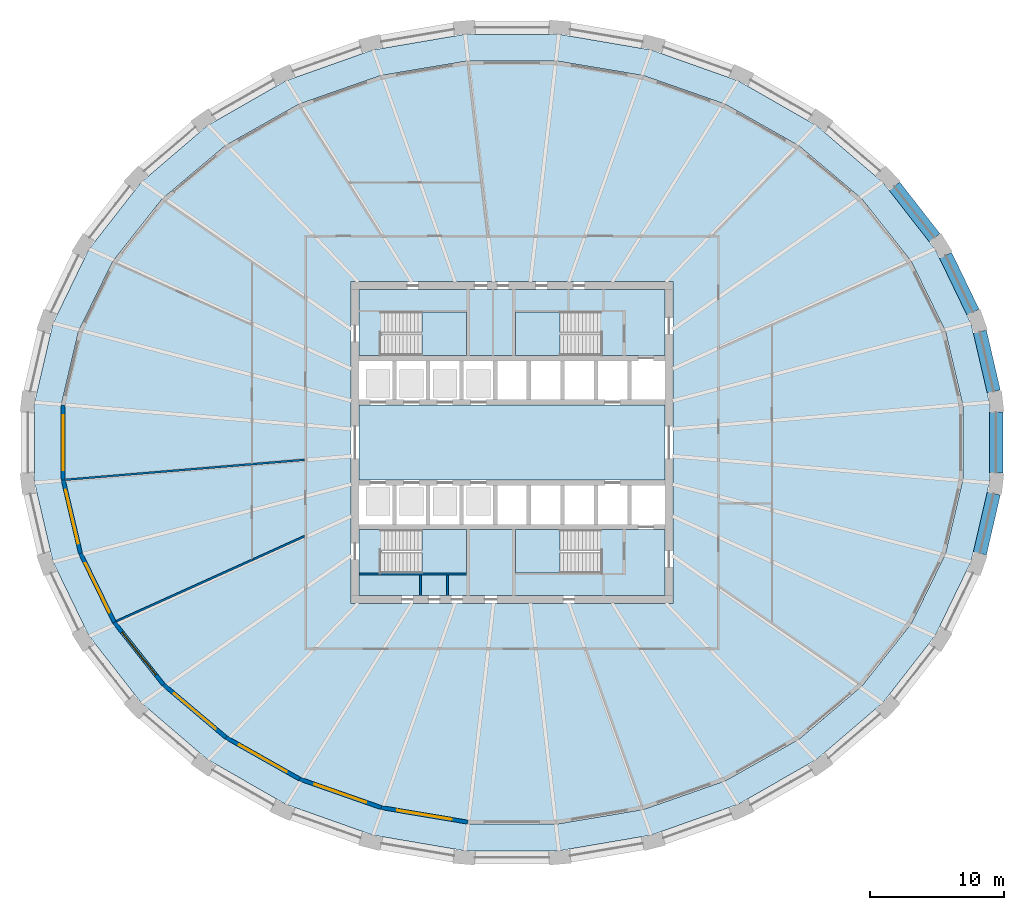
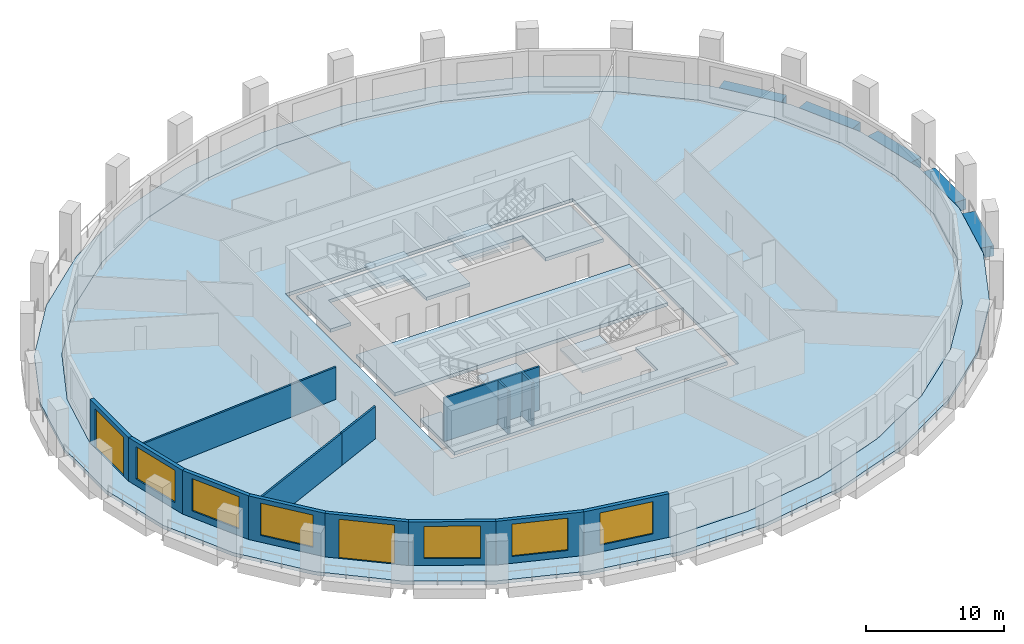
# One storey, part 2 of 10: 14 walls, 9 slabs, 6 windows, 5 beams, 2 doors, 8 openings, 4 elements without a shape of their own.
"""IFC4 building model written with IfcOpenShell, lengths in metres."""

from ifc_helpers import new_model, si_unit, direction, frame, frame_2d, origin, origin_2d, place, context, subcontext, project, spatial, polyline, rectangle, outline, extrude, material, layer, layer_set, material_profile, profile_set, type_object, element, fill, aggregate, save


model = new_model("IFC4")

# Units and contexts
model_context = context("Model", 3, precision=1e-05, world=origin(), true_north=direction((0.0, 1.0)))
body_context = subcontext(model_context, "Body", "Model", "MODEL_VIEW")
ifc_project = project(units=[si_unit("LENGTHUNIT", "METRE"), si_unit("AREAUNIT", "SQUARE_METRE"), si_unit("VOLUMEUNIT", "CUBIC_METRE"), si_unit("PLANEANGLEUNIT", "RADIAN"), si_unit("MASSUNIT", "GRAM", prefix="KILO")], contexts=[model_context])

# Site, building, storey
site_placement = place(None, origin())
site = spatial("IfcSite", under=ifc_project, at=site_placement, CompositionType="ELEMENT")
building_placement = place(site_placement, origin())
building = spatial("IfcBuilding", under=site, at=building_placement, Name="Halqa Exchange Tower", CompositionType="ELEMENT")
storey_placement = place(building_placement, frame((0.0, 0.0, 94.89990234375)))
storey = spatial("IfcBuildingStorey", under=building, at=storey_placement, Name="L21", CompositionType="ELEMENT", Elevation=94.89990234375)

# Beams
ifc_material_1 = material(Name="Concrete C60/75", Category="concrete")
ifc_material_profile = material_profile(ifc_material_1, rectangle(XDim=1.0, YDim=0.89990234375, at=origin_2d()), Name="1000 x 900")
ifc_profile_set = profile_set([ifc_material_profile], Name="Concrete C60/75")
beam_type = type_object("IfcBeamType", Name="RC spandrel beam 1000 x 900 C60/75", PredefinedType="SPANDREL", material=ifc_profile_set)
beam_1_placement = place(storey_placement, frame((35.939208984375, 3.805908203125, -0.449951171875), z_axis=(-0.226091821928, 0.974105994262, 0.0), x_axis=(-0.974105994262, -0.226091821928, 0.0)))
element("IfcBeam", 1, at=beam_1_placement, inside=storey, type_object=beam_type, Name="Spandrel 1", PredefinedType="SPANDREL", context=body_context, shape_type="SweptSolid", body=[
    extrude(rectangle(XDim=1.0, YDim=0.89990234375, at=origin_2d()), origin(), (0.0, 0.0, 1.0), 4.5859375),
])
beam_2_placement = place(storey_placement, frame((34.388671875, 9.7294921875, -0.449951171875), z_axis=(-0.435149722828, 0.900358105824, 0.0), x_axis=(-0.900358105824, -0.435149722828, 0.0)))
element("IfcBeam", 2, at=beam_2_placement, inside=storey, type_object=beam_type, Name="Spandrel 2", PredefinedType="SPANDREL", context=body_context, shape_type="SweptSolid", body=[
    extrude(rectangle(XDim=1.0, YDim=0.89990234375, at=origin_2d()), origin(), (0.0, 0.0, 1.0), 4.70263671875),
])
beam_3_placement = place(storey_placement, frame((31.52783203125, 15.2744140625, -0.449951171875), z_axis=(-0.614817026553, 0.788669781252, 0.0), x_axis=(-0.788669781252, -0.614817026553, 0.0)))
element("IfcBeam", 3, at=beam_3_placement, inside=storey, type_object=beam_type, Name="Spandrel 3", PredefinedType="SPANDREL", context=body_context, shape_type="SweptSolid", body=[
    extrude(rectangle(XDim=1.0, YDim=0.89990234375, at=origin_2d()), origin(), (0.0, 0.0, 1.0), 4.877197265625),
])
beam_4_placement = place(storey_placement, frame((34.90234375, -8.273193359375, -0.449951171875), z_axis=(0.226091821928, 0.974105994262, 0.0), x_axis=(-0.974105994262, 0.226091821928, 0.0)))
element("IfcBeam", 4, at=beam_4_placement, inside=storey, type_object=beam_type, Name="Spandrel 31", PredefinedType="SPANDREL", context=body_context, shape_type="SweptSolid", body=[
    extrude(rectangle(XDim=1.0, YDim=0.89990234375, at=origin_2d()), origin(), (0.0, 0.0, 1.0), 4.5859375),
])
beam_5_placement = place(storey_placement, frame((36.11474609375, -2.271484375, -0.449951171875), z_axis=(0.0, 1.0, 0.0), x_axis=(-1.0, 0.0, 0.0)))
element("IfcBeam", 5, at=beam_5_placement, inside=storey, type_object=beam_type, Name="Spandrel 32", PredefinedType="SPANDREL", context=body_context, shape_type="SweptSolid", body=[
    extrude(rectangle(XDim=1.0, YDim=0.89990234375, at=origin_2d()), origin(), (0.0, 0.0, 1.0), 4.54296875),
])

# Slabs
ifc_layer_1 = layer(ifc_material_1, 0.300048828125)
ifc_layer_set_1 = layer_set([ifc_layer_1], Name="Concrete C60/75")
slab_type_1 = type_object("IfcSlabType", Name="Core floor slab 300", PredefinedType="FLOOR", material=ifc_layer_set_1)
slab_1_placement = place(storey_placement, frame((0.0, 0.0, -0.2998046875)))
element("IfcSlab", 6, at=slab_1_placement, inside=storey, type_object=slab_type_1, Name="Core floor slab", PredefinedType="FLOOR", context=body_context, shape_type="SweptSolid", body=[
    extrude(outline(polyline([(-11.39990234375, 2.800048828125), (11.39990234375, 2.800048828125), (11.39990234375, -2.800048828125), (-11.39990234375, -2.800048828125), (-11.39990234375, 2.800048828125)])), origin(), (0.0, 0.0, 1.0), 0.2998046875),
])
slab_2_placement = place(storey_placement, frame((0.0, 0.0, -0.2998046875)))
element("IfcSlab", 7, at=slab_2_placement, inside=storey, type_object=slab_type_1, Name="Core floor slab", PredefinedType="FLOOR", context=body_context, shape_type="SweptSolid", body=[
    extrude(outline(polyline([(-11.39990234375, 11.39990234375), (11.39990234375, 11.39990234375), (11.39990234375, 6.5), (6.550048828125, 6.5), (6.550048828125, 9.75), (0.25, 9.75), (0.25, 6.5), (-3.39990234375, 6.5), (-3.39990234375, 9.75), (-9.699951171875, 9.75), (-9.699951171875, 6.5), (-11.39990234375, 6.5), (-11.39990234375, 11.39990234375)])), origin(), (0.0, 0.0, 1.0), 0.2998046875),
])
slab_3_placement = place(storey_placement, frame((0.0, 0.0, -0.2998046875)))
element("IfcSlab", 8, at=slab_3_placement, inside=storey, type_object=slab_type_1, Name="Core floor slab", PredefinedType="FLOOR", context=body_context, shape_type="SweptSolid", body=[
    extrude(outline(polyline([(-9.699951171875, -9.75), (-3.39990234375, -9.75), (-3.39990234375, -6.5), (0.25, -6.5), (0.25, -9.75), (6.550048828125, -9.75), (6.550048828125, -6.5), (11.39990234375, -6.5), (11.39990234375, -11.39990234375), (-11.39990234375, -11.39990234375), (-11.39990234375, -6.5), (-9.699951171875, -6.5), (-9.699951171875, -9.75)])), origin(), (0.0, 0.0, 1.0), 0.2998046875),
])
ifc_material_2 = material(Name="Concrete C40/50", Category="concrete")
ifc_layer_2 = layer(ifc_material_2, 0.300048828125)
ifc_layer_set_2 = layer_set([ifc_layer_2], Name="Concrete C40/50")
slab_type_2 = type_object("IfcSlabType", Name="RC floor slab 300", PredefinedType="FLOOR", material=ifc_layer_set_2)
slab_4_placement = place(storey_placement, frame((0.0, 0.0, -0.2998046875)))
element("IfcSlab", 9, at=slab_4_placement, inside=storey, type_object=slab_type_2, Name="Floor slab", PredefinedType="FLOOR", context=body_context, shape_type="SweptSolid", body=[
    extrude(outline(polyline([(33.628173828125, 2.80908203125), (32.331787109375, 8.318115234375), (29.790283203125, 13.50390625), (26.1044921875, 18.16650390625), (21.41748046875, 22.127685546875), (15.9111328125, 25.2373046875), (9.79638671875, 27.378173828125), (3.3076171875, 28.468994140625), (-3.3076171875, 28.468994140625), (-9.79638671875, 27.378173828125), (-15.9111328125, 25.2373046875), (-21.41748046875, 22.127685546875), (-26.1044921875, 18.16650390625), (-29.790283203125, 13.50390625), (-32.331787109375, 8.318115234375), (-33.628173828125, 2.80908203125), (-33.628173828125, -2.80908203125), (-32.331787109375, -8.318115234375), (-29.790283203125, -13.50390625), (-26.1044921875, -18.16650390625), (-21.41748046875, -22.127685546875), (-15.9111328125, -25.2373046875), (-9.79638671875, -27.378173828125), (-3.3076171875, -28.468994140625), (3.3076171875, -28.468994140625), (9.79638671875, -27.378173828125), (15.9111328125, -25.2373046875), (21.41748046875, -22.127685546875), (26.1044921875, -18.16650390625), (29.790283203125, -13.50390625), (32.331787109375, -8.318115234375), (33.628173828125, -2.80908203125), (33.628173828125, 2.80908203125)]), holes=[polyline([(-12.0, -12.0), (12.0, -12.0), (12.0, 12.0), (-12.0, 12.0), (-12.0, -12.0)])]), origin(), (0.0, 0.0, 1.0), 0.2998046875),
])
ifc_layer_3 = layer(ifc_material_2, 0.300048828125)
ifc_layer_set_3 = layer_set([ifc_layer_3], Name="Concrete C40/50")
slab_type_3 = type_object("IfcSlabType", Name="RC loggia slab 300", PredefinedType="FLOOR", material=ifc_layer_set_3)
slab_5_placement = place(storey_placement, frame((0.0, 0.0, -0.2998046875)))
element("IfcSlab", 10, at=slab_5_placement, inside=storey, type_object=slab_type_3, Name="Loggia slab", PredefinedType="FLOOR", context=body_context, shape_type="SweptSolid", body=[
    extrude(outline(polyline([(35.61474609375, 2.99169921875), (35.61474609375, -2.99169921875), (34.25244140625, -8.862060546875), (31.577392578125, -14.3974609375), (27.688720703125, -19.385986328125), (22.732421875, -23.63427734375), (16.897216796875, -26.976318359375), (10.40771484375, -29.2802734375), (3.5146484375, -30.45556640625), (-3.5146484375, -30.45556640625), (-10.40771484375, -29.2802734375), (-16.897216796875, -26.976318359375), (-22.732421875, -23.63427734375), (-27.688720703125, -19.385986328125), (-31.577392578125, -14.3974609375), (-34.25244140625, -8.862060546875), (-35.61474609375, -2.99169921875), (-35.61474609375, 2.99169921875), (-34.25244140625, 8.862060546875), (-31.577392578125, 14.3974609375), (-27.688720703125, 19.385986328125), (-22.732421875, 23.63427734375), (-16.897216796875, 26.976318359375), (-10.40771484375, 29.2802734375), (-3.5146484375, 30.45556640625), (3.5146484375, 30.45556640625), (10.40771484375, 29.2802734375), (16.897216796875, 26.976318359375), (22.732421875, 23.63427734375), (27.688720703125, 19.385986328125), (31.577392578125, 14.3974609375), (34.25244140625, 8.862060546875), (35.61474609375, 2.99169921875)]), holes=[polyline([(33.628173828125, 2.80908203125), (32.331787109375, 8.318115234375), (29.790283203125, 13.50390625), (26.1044921875, 18.16650390625), (21.41748046875, 22.127685546875), (15.9111328125, 25.2373046875), (9.79638671875, 27.378173828125), (3.3076171875, 28.468994140625), (-3.3076171875, 28.468994140625), (-9.79638671875, 27.378173828125), (-15.9111328125, 25.2373046875), (-21.41748046875, 22.127685546875), (-26.1044921875, 18.16650390625), (-29.790283203125, 13.50390625), (-32.331787109375, 8.318115234375), (-33.628173828125, 2.80908203125), (-33.628173828125, -2.80908203125), (-32.331787109375, -8.318115234375), (-29.790283203125, -13.50390625), (-26.1044921875, -18.16650390625), (-21.41748046875, -22.127685546875), (-15.9111328125, -25.2373046875), (-9.79638671875, -27.378173828125), (-3.3076171875, -28.468994140625), (3.3076171875, -28.468994140625), (9.79638671875, -27.378173828125), (15.9111328125, -25.2373046875), (21.41748046875, -22.127685546875), (26.1044921875, -18.16650390625), (29.790283203125, -13.50390625), (32.331787109375, -8.318115234375), (33.628173828125, -2.80908203125), (33.628173828125, 2.80908203125)])]), origin(), (0.0, 0.0, 1.0), 0.2998046875),
])

# Stair, slab
ifc_material_3 = material(Name="Concrete C30/37", Category="concrete")
stair_type = type_object("IfcStairType", Name="Exit stair 1500 wide", PredefinedType="HALF_TURN_STAIR", material=ifc_material_3)
stair_1_placement = place(storey_placement, origin())
stair_1 = element("IfcStair", 11, at=stair_1_placement, inside=storey, type_object=stair_type, Name="Exit stair ST1", PredefinedType="HALF_TURN_STAIR")
ifc_layer_4 = layer(ifc_material_3, 0.199951171875)
ifc_layer_set_4 = layer_set([ifc_layer_4], Name="Concrete C30/37")
slab_type_4 = type_object("IfcSlabType", Name="Stair landing 200 slab", PredefinedType="LANDING", material=ifc_layer_set_4)
slab_6_placement = place(storey_placement, frame((0.0, 0.0, 1.900146484375)))
slab_6 = element("IfcSlab", 12, at=slab_6_placement, type_object=slab_type_4, Name="ST1 landing 1", PredefinedType="LANDING", context=body_context, shape_type="SweptSolid", body=[
    extrude(outline(polyline([(-6.719970703125, 6.5), (-3.39990234375, 6.5), (-3.39990234375, 9.75), (-6.719970703125, 9.75), (-6.719970703125, 6.5)])), origin(), (0.0, 0.0, 1.0), 0.199951171875),
])
aggregate(stair_1, [slab_6])

stair_2_placement = place(storey_placement, origin())
stair_2 = element("IfcStair", 13, at=stair_2_placement, inside=storey, type_object=stair_type, Name="Exit stair ST2", PredefinedType="HALF_TURN_STAIR")
slab_7_placement = place(storey_placement, frame((0.0, 0.0, 1.900146484375)))
slab_7 = element("IfcSlab", 14, at=slab_7_placement, type_object=slab_type_4, Name="ST2 landing 1", PredefinedType="LANDING", context=body_context, shape_type="SweptSolid", body=[
    extrude(outline(polyline([(0.25, 6.5), (3.570068359375, 6.5), (3.570068359375, 9.75), (0.25, 9.75), (0.25, 6.5)])), origin(), (0.0, 0.0, 1.0), 0.199951171875),
])
aggregate(stair_2, [slab_7])

stair_3_placement = place(storey_placement, origin())
stair_3 = element("IfcStair", 15, at=stair_3_placement, inside=storey, type_object=stair_type, Name="Exit stair ST3", PredefinedType="HALF_TURN_STAIR")
slab_8_placement = place(storey_placement, frame((0.0, 0.0, 1.900146484375)))
slab_8 = element("IfcSlab", 16, at=slab_8_placement, type_object=slab_type_4, Name="ST3 landing 1", PredefinedType="LANDING", context=body_context, shape_type="SweptSolid", body=[
    extrude(outline(polyline([(-6.719970703125, -9.75), (-3.39990234375, -9.75), (-3.39990234375, -6.5), (-6.719970703125, -6.5), (-6.719970703125, -9.75)])), origin(), (0.0, 0.0, 1.0), 0.199951171875),
])
aggregate(stair_3, [slab_8])

stair_4_placement = place(storey_placement, origin())
stair_4 = element("IfcStair", 17, at=stair_4_placement, inside=storey, type_object=stair_type, Name="Exit stair ST4", PredefinedType="HALF_TURN_STAIR")
slab_9_placement = place(storey_placement, frame((0.0, 0.0, 1.900146484375)))
slab_9 = element("IfcSlab", 18, at=slab_9_placement, type_object=slab_type_4, Name="ST4 landing 1", PredefinedType="LANDING", context=body_context, shape_type="SweptSolid", body=[
    extrude(outline(polyline([(0.25, -9.75), (3.570068359375, -9.75), (3.570068359375, -6.5), (0.25, -6.5), (0.25, -9.75)])), origin(), (0.0, 0.0, 1.0), 0.199951171875),
])
aggregate(stair_4, [slab_9])

# Walls
ifc_material_4 = material(Name="Fire-rated gypsum board")
ifc_layer_5 = layer(ifc_material_4, 0.14990234375)
ifc_layer_set_5 = layer_set([ifc_layer_5], Name="Fire-rated gypsum board")
wall_type_1 = type_object("IfcWallType", Name="Fire partition EI 60 150", PredefinedType="PARTITIONING", material=ifc_layer_set_5)
wall_1_placement = place(storey_placement, frame((-33.321533203125, -2.774169921875, 0.0), z_axis=(0.0, 0.0, 1.0), x_axis=(0.996543032046, 0.083078187757, 0.0)))
element("IfcWall", 19, at=wall_1_placement, inside=storey, type_object=wall_type_1, Name="L21-PWL-001", PredefinedType="PARTITIONING", context=body_context, shape_type="SweptSolid", body=[
    extrude(outline(polyline([(0.004638671875, -0.074951171875), (1.991455078125, -0.074951171875), (3.978515625, -0.074951171875), (5.965576171875, -0.074951171875), (7.952392578125, -0.074951171875), (9.939453125, -0.074951171875), (11.926513671875, -0.074951171875), (13.913330078125, -0.074951171875), (13.913330078125, -0.074462890625), (13.9189453125, -0.074951171875), (15.91064453125, -0.074951171875), (17.902099609375, -0.074951171875), (17.914306640625, 0.0703125), (17.914306640625, 0.074951171875), (15.97021484375, 0.074951171875), (14.0263671875, 0.074951171875), (14.026123046875, 0.07421875), (14.0166015625, 0.074951171875), (12.2646484375, 0.074951171875), (10.512451171875, 0.074951171875), (8.760498046875, 0.074951171875), (7.00830078125, 0.074951171875), (5.25634765625, 0.074951171875), (3.504150390625, 0.074951171875), (1.752197265625, 0.074951171875), (0.0, 0.074951171875), (0.0, -0.04443359375), (0.004638671875, -0.074951171875)])), origin(), (0.0, 0.0, 1.0), 2.85009765625),
])
wall_2_placement = place(storey_placement, frame((-29.535888671875, -13.34619140625, 0.0), z_axis=(0.0, 0.0, 1.0), x_axis=(0.911414610865, 0.411489255147, 0.0)))
element("IfcWall", 20, at=wall_2_placement, inside=storey, type_object=wall_type_1, Name="L21-PWL-002", PredefinedType="PARTITIONING", context=body_context, shape_type="SweptSolid", body=[
    extrude(outline(polyline([(11.208251953125, -0.074951171875), (11.208251953125, 0.071533203125), (11.1943359375, 0.041015625), (11.175048828125, 0.049560546875), (11.175048828125, 0.049560546875), (11.119140625, 0.074951171875), (9.265869140625, 0.074951171875), (7.41259765625, 0.074951171875), (5.5595703125, 0.074951171875), (3.706298828125, 0.074951171875), (1.853271484375, 0.074951171875), (0.0, 0.074951171875), (0.0, 0.06787109375), (0.001953125, 0.002685546875), (0.021484375, -0.074951171875), (1.885986328125, -0.074951171875), (3.750244140625, -0.074951171875), (5.61474609375, -0.074951171875), (7.479248046875, -0.074951171875), (9.34375, -0.074951171875), (11.208251953125, -0.074951171875)])), origin(), (0.0, 0.0, 1.0), 2.85009765625),
])
wall_3_placement = place(storey_placement, frame((-19.3203125, -8.73388671875, 0.0), z_axis=(0.0, 0.0, 1.0), x_axis=(0.911074570035, 0.412241589162, 0.0)))
element("IfcWall", 21, at=wall_3_placement, inside=storey, type_object=wall_type_1, Name="L21-PWL-004", PredefinedType="PARTITIONING", context=body_context, shape_type="SweptSolid", body=[
    extrude(outline(polyline([(0.0, -0.074951171875), (1.3955078125, -0.074951171875), (2.791259765625, -0.074951171875), (4.186767578125, -0.074951171875), (4.254638671875, 0.074951171875), (2.8369140625, 0.074951171875), (1.419189453125, 0.074951171875), (0.001220703125, 0.074951171875), (0.0, 0.072021484375), (0.0, -0.074951171875)])), origin(), (0.0, 0.0, 1.0), 2.85009765625),
])
ifc_material_5 = material(Name="Gypsum board")
ifc_layer_6 = layer(ifc_material_5, 0.14990234375)
ifc_layer_set_6 = layer_set([ifc_layer_6], Name="Gypsum board")
wall_type_2 = type_object("IfcWallType", Name="Penthouse riser wall 150 gypsum", PredefinedType="PARTITIONING", material=ifc_layer_set_6)
for number, where, z_axis, x_axis, name in (
    (22, (-6.824951171875, -11.39990234375, 0.0), (0.0, 0.0, 1.0), (0.0, 1.0, 0.0), "Partition W6.825 S"),
    (23, (-4.824951171875, -11.39990234375, 0.0), (0.0, 0.0, 1.0), (0.0, 1.0, 0.0), "Partition W4.825 S"),
):
    element("IfcWall", number, at=place(storey_placement, frame(where, z_axis=z_axis, x_axis=x_axis)), inside=storey, type_object=wall_type_2, Name=name, PredefinedType="PARTITIONING", context=body_context, shape_type="SweptSolid", body=[
        extrude(rectangle(XDim=1.5, YDim=0.14990234375, at=frame_2d((0.75, 0.0))), origin(), (0.0, 0.0, 1.0), 3.85009765625),
    ])
ifc_layer_7 = layer(ifc_material_3, 0.14990234375)
ifc_layer_set_7 = layer_set([ifc_layer_7], Name="Concrete C30/37")
wall_type_3 = type_object("IfcWallType", Name="RC stair wall 150 C30/37", PredefinedType="SHEAR", material=ifc_layer_set_7)
wall_4_placement = place(storey_placement, frame((-11.39990234375, -9.824951171875, 0.0), z_axis=(0.0, 0.0, 1.0), x_axis=(1.0, 0.0, 0.0)))
element("IfcWall", 24, at=wall_4_placement, inside=storey, type_object=wall_type_3, Name="Stair ST1 north wall S", PredefinedType="SHEAR", context=body_context, shape_type="SweptSolid", body=[
    extrude(rectangle(XDim=8.0, YDim=0.14990234375, at=frame_2d((4.0, 0.0))), origin(), (0.0, 0.0, 1.0), 3.85009765625),
])

# Wall, opening, door
ifc_material_6 = material(Name="Limestone cladding", Category="masonry")
ifc_layer_8 = layer(ifc_material_6, 0.0400390625)
ifc_material_7 = material(Name="Ventilated cavity")
ifc_layer_9 = layer(ifc_material_7, 0.030029296875, ventilated=True)
ifc_material_8 = material(Name="Mineral wool insulation")
ifc_layer_10 = layer(ifc_material_8, 0.10009765625)
ifc_layer_11 = layer(ifc_material_3, 0.10009765625)
ifc_material_9 = material(Name="Internal plaster")
ifc_layer_12 = layer(ifc_material_9, 0.030029296875)
ifc_layer_set_8 = layer_set([ifc_layer_8, ifc_layer_9, ifc_layer_10, ifc_layer_11, ifc_layer_12], Name="Stone-faced insulated wall 300")
wall_type_4 = type_object("IfcWallType", Name="Stone-faced insulated wall 300", PredefinedType="STANDARD", material=ifc_layer_set_8)
wall_5_placement = place(storey_placement, frame((-33.478271484375, 2.791748046875, 0.0), z_axis=(0.0, 0.0, 1.0), x_axis=(0.0, -1.0, 0.0)))
wall_5 = element("IfcWall", 25, at=wall_5_placement, inside=storey, type_object=wall_type_4, Name="Glass-line wall 16", PredefinedType="STANDARD", context=body_context, shape_type="SweptSolid", body=[
    extrude(outline(polyline([(-0.017333984375, -0.14990234375), (5.600830078125, -0.14990234375), (5.566162109375, 0.14990234375), (0.017333984375, 0.14990234375), (-0.017333984375, -0.14990234375)])), origin(), (0.0, 0.0, 1.0), 3.85009765625),
])
opening_1_placement = place(wall_5_placement, frame((0.74169921875, 0.0, 0.0)))
opening_1 = element("IfcOpeningElement", 26, at=opening_1_placement, cuts=wall_5, Name="Opening LG-F1-04", PredefinedType="OPENING", context=body_context, shape_type="SweptSolid", body=[
    extrude(rectangle(XDim=4.10009765625, YDim=3.449951171875, at=frame_2d((2.050048828125, 1.72509765625))), frame((0.0, 0.162109375, 0.0), z_axis=(0.0, -1.0, 0.0), x_axis=(1.0, 0.0, 0.0)), (0.0, 0.0, 1.0), 0.323974609375),
])
ifc_material_10 = material(Name="Clear low-emissivity glass in aluminium frame", Category="aluminium")
door_type = type_object("IfcDoorType", Name="Glazed sliding loggia door 4100 x 3450", OperationType="DOUBLE_DOOR_SLIDING", PredefinedType="DOOR", material=ifc_material_10)
door_1_placement = place(opening_1_placement, origin())
door_1 = element("IfcDoor", 27, at=door_1_placement, inside=storey, type_object=door_type, Name="Loggia door 4", OperationType="DOUBLE_DOOR_SLIDING", OverallHeight=3.449951171875, OverallWidth=4.10009765625, PredefinedType="DOOR", context=body_context, shape_type="SweptSolid", body=[
    extrude(rectangle(XDim=4.10009765625, YDim=3.449951171875, at=frame_2d((2.050048828125, 1.72509765625))), frame((0.0, 0.02490234375, 0.0), z_axis=(0.0, -1.0, 0.0), x_axis=(1.0, 0.0, 0.0)), (0.0, 0.0, 1.0), 0.050048828125),
])
fill(opening_1, door_1)

# Wall, opening, window
wall_6_placement = place(storey_placement, frame((-33.478271484375, -2.791748046875, 0.0), z_axis=(0.0, 0.0, 1.0), x_axis=(0.229073200999, -0.973409198941, 0.0)))
wall_6 = element("IfcWall", 28, at=wall_6_placement, inside=storey, type_object=wall_type_4, Name="Glass-line wall 17", PredefinedType="STANDARD", context=body_context, shape_type="SweptSolid", body=[
    extrude(outline(polyline([(-0.017333984375, -0.14990234375), (5.64208984375, -0.14990234375), (5.6083984375, 0.14990234375), (0.017333984375, 0.14990234375), (-0.017333984375, -0.14990234375)])), origin(), (0.0, 0.0, 1.0), 3.85009765625),
])
opening_2_placement = place(wall_6_placement, frame((0.7626953125, 0.0, 0.60009765625)))
opening_2 = element("IfcOpeningElement", 29, at=opening_2_placement, cuts=wall_6, Name="Opening W-F1-17", PredefinedType="OPENING", context=body_context, shape_type="SweptSolid", body=[
    extrude(rectangle(XDim=4.10009765625, YDim=2.85009765625, at=frame_2d((2.050048828125, 1.425048828125))), frame((0.0, 0.162109375, 0.0), z_axis=(0.0, -1.0, 0.0), x_axis=(1.0, 0.0, 0.0)), (0.0, 0.0, 1.0), 0.323974609375),
])
window_type = type_object("IfcWindowType", Name="Fixed clear glazed window 4100 x 2850", PartitioningType="TRIPLE_PANEL_VERTICAL", PredefinedType="WINDOW", material=ifc_material_10)
window_1_placement = place(opening_2_placement, origin())
window_1 = element("IfcWindow", 30, at=window_1_placement, inside=storey, type_object=window_type, Name="Window 1", OverallHeight=2.85009765625, OverallWidth=4.10009765625, PartitioningType="TRIPLE_PANEL_VERTICAL", PredefinedType="WINDOW", context=body_context, shape_type="SweptSolid", body=[
    extrude(rectangle(XDim=4.10009765625, YDim=2.85009765625, at=frame_2d((2.050048828125, 1.425048828125))), frame((0.0, 0.030029296875, 0.0), z_axis=(0.0, -1.0, 0.0), x_axis=(1.0, 0.0, 0.0)), (0.0, 0.0, 1.0), 0.06005859375),
])
fill(opening_2, window_1)

wall_7_placement = place(storey_placement, frame((-32.189697265625, -8.267333984375, 0.0), z_axis=(0.0, 0.0, 1.0), x_axis=(0.44010747541, -0.897945104162, 0.0)))
wall_7 = element("IfcWall", 31, at=wall_7_placement, inside=storey, type_object=wall_type_4, Name="Glass-line wall 18", PredefinedType="STANDARD", context=body_context, shape_type="SweptSolid", body=[
    extrude(outline(polyline([(-0.016845703125, -0.14990234375), (5.758056640625, -0.14990234375), (5.725830078125, 0.14990234375), (0.016845703125, 0.14990234375), (-0.016845703125, -0.14990234375)])), origin(), (0.0, 0.0, 1.0), 3.85009765625),
])
opening_3_placement = place(wall_7_placement, frame((0.821044921875, 0.0, 0.60009765625)))
opening_3 = element("IfcOpeningElement", 32, at=opening_3_placement, cuts=wall_7, Name="Opening W-F1-18", PredefinedType="OPENING", context=body_context, shape_type="SweptSolid", body=[
    extrude(rectangle(XDim=4.10009765625, YDim=2.85009765625, at=frame_2d((2.050048828125, 1.425048828125))), frame((0.0, 0.162109375, 0.0), z_axis=(0.0, -1.0, 0.0), x_axis=(1.0, 0.0, 0.0)), (0.0, 0.0, 1.0), 0.323974609375),
])
window_2_placement = place(opening_3_placement, origin())
window_2 = element("IfcWindow", 33, at=window_2_placement, inside=storey, type_object=window_type, Name="Window 1", OverallHeight=2.85009765625, OverallWidth=4.10009765625, PartitioningType="TRIPLE_PANEL_VERTICAL", PredefinedType="WINDOW", context=body_context, shape_type="SweptSolid", body=[
    extrude(rectangle(XDim=4.10009765625, YDim=2.85009765625, at=frame_2d((2.050048828125, 1.425048828125))), frame((0.0, 0.030029296875, 0.0), z_axis=(0.0, -1.0, 0.0), x_axis=(1.0, 0.0, 0.0)), (0.0, 0.0, 1.0), 0.06005859375),
])
fill(opening_3, window_2)

wall_8_placement = place(storey_placement, frame((-29.66259765625, -13.42333984375, 0.0), z_axis=(0.0, 0.0, 1.0), x_axis=(0.620142219764, -0.784489405452, 0.0)))
wall_8 = element("IfcWall", 34, at=wall_8_placement, inside=storey, type_object=wall_type_4, Name="Glass-line wall 19", PredefinedType="STANDARD", context=body_context, shape_type="SweptSolid", body=[
    extrude(outline(polyline([(-0.01611328125, -0.14990234375), (5.927490234375, -0.14990234375), (5.897216796875, 0.14990234375), (0.01611328125, 0.14990234375), (-0.01611328125, -0.14990234375)])), origin(), (0.0, 0.0, 1.0), 3.85009765625),
])
opening_4_placement = place(wall_8_placement, frame((0.90625, 0.0, 0.60009765625)))
opening_4 = element("IfcOpeningElement", 35, at=opening_4_placement, cuts=wall_8, Name="Opening W-F1-19", PredefinedType="OPENING", context=body_context, shape_type="SweptSolid", body=[
    extrude(rectangle(XDim=4.10009765625, YDim=2.85009765625, at=frame_2d((2.050048828125, 1.425048828125))), frame((0.0, 0.162109375, 0.0), z_axis=(0.0, -1.0, 0.0), x_axis=(1.0, 0.0, 0.0)), (0.0, 0.0, 1.0), 0.323974609375),
])
window_3_placement = place(opening_4_placement, origin())
window_3 = element("IfcWindow", 36, at=window_3_placement, inside=storey, type_object=window_type, Name="Window 1", OverallHeight=2.85009765625, OverallWidth=4.10009765625, PartitioningType="TRIPLE_PANEL_VERTICAL", PredefinedType="WINDOW", context=body_context, shape_type="SweptSolid", body=[
    extrude(rectangle(XDim=4.10009765625, YDim=2.85009765625, at=frame_2d((2.050048828125, 1.425048828125))), frame((0.0, 0.030029296875, 0.0), z_axis=(0.0, -1.0, 0.0), x_axis=(1.0, 0.0, 0.0)), (0.0, 0.0, 1.0), 0.06005859375),
])
fill(opening_4, window_3)

# Wall, opening, door
wall_9_placement = place(storey_placement, frame((-25.99609375, -18.0615234375, 0.0), z_axis=(0.0, 0.0, 1.0), x_axis=(0.763753100684, -0.645508482667, 0.0)))
wall_9 = element("IfcWall", 37, at=wall_9_placement, inside=storey, type_object=wall_type_4, Name="Glass-line wall 20", PredefinedType="STANDARD", context=body_context, shape_type="SweptSolid", body=[
    extrude(outline(polyline([(-0.01513671875, -0.14990234375), (6.12158203125, -0.14990234375), (6.09326171875, 0.14990234375), (0.01513671875, 0.14990234375), (-0.01513671875, -0.14990234375)])), origin(), (0.0, 0.0, 1.0), 3.85009765625),
])
opening_5_placement = place(wall_9_placement, frame((1.003662109375, 0.0, 0.0)))
opening_5 = element("IfcOpeningElement", 38, at=opening_5_placement, cuts=wall_9, Name="Opening LG-F1-05", PredefinedType="OPENING", context=body_context, shape_type="SweptSolid", body=[
    extrude(rectangle(XDim=4.10009765625, YDim=3.449951171875, at=frame_2d((2.050048828125, 1.72509765625))), frame((0.0, 0.162109375, 0.0), z_axis=(0.0, -1.0, 0.0), x_axis=(1.0, 0.0, 0.0)), (0.0, 0.0, 1.0), 0.323974609375),
])
door_2_placement = place(opening_5_placement, origin())
door_2 = element("IfcDoor", 39, at=door_2_placement, inside=storey, type_object=door_type, Name="Loggia door 5", OperationType="DOUBLE_DOOR_SLIDING", OverallHeight=3.449951171875, OverallWidth=4.10009765625, PredefinedType="DOOR", context=body_context, shape_type="SweptSolid", body=[
    extrude(rectangle(XDim=4.10009765625, YDim=3.449951171875, at=frame_2d((2.050048828125, 1.72509765625))), frame((0.0, 0.02490234375, 0.0), z_axis=(0.0, -1.0, 0.0), x_axis=(1.0, 0.0, 0.0)), (0.0, 0.0, 1.0), 0.050048828125),
])
fill(opening_5, door_2)

# Wall, opening, window
wall_10_placement = place(storey_placement, frame((-21.33154296875, -22.00390625, 0.0), z_axis=(0.0, 0.0, 1.0), x_axis=(0.870737550302, -0.491748023376, 0.0)))
wall_10 = element("IfcWall", 40, at=wall_10_placement, inside=storey, type_object=wall_type_4, Name="Glass-line wall 21", PredefinedType="STANDARD", context=body_context, shape_type="SweptSolid", body=[
    extrude(outline(polyline([(-0.01416015625, -0.14990234375), (6.309814453125, -0.14990234375), (6.282958984375, 0.14990234375), (0.01416015625, 0.14990234375), (-0.01416015625, -0.14990234375)])), origin(), (0.0, 0.0, 1.0), 3.85009765625),
])
opening_6_placement = place(wall_10_placement, frame((1.09814453125, 0.0, 0.60009765625)))
opening_6 = element("IfcOpeningElement", 41, at=opening_6_placement, cuts=wall_10, Name="Opening W-F1-21", PredefinedType="OPENING", context=body_context, shape_type="SweptSolid", body=[
    extrude(rectangle(XDim=4.10009765625, YDim=2.85009765625, at=frame_2d((2.050048828125, 1.425048828125))), frame((0.0, 0.162109375, 0.0), z_axis=(0.0, -1.0, 0.0), x_axis=(1.0, 0.0, 0.0)), (0.0, 0.0, 1.0), 0.323974609375),
])
window_4_placement = place(opening_6_placement, origin())
window_4 = element("IfcWindow", 42, at=window_4_placement, inside=storey, type_object=window_type, Name="Window 1", OverallHeight=2.85009765625, OverallWidth=4.10009765625, PartitioningType="TRIPLE_PANEL_VERTICAL", PredefinedType="WINDOW", context=body_context, shape_type="SweptSolid", body=[
    extrude(rectangle(XDim=4.10009765625, YDim=2.85009765625, at=frame_2d((2.050048828125, 1.425048828125))), frame((0.0, 0.030029296875, 0.0), z_axis=(0.0, -1.0, 0.0), x_axis=(1.0, 0.0, 0.0)), (0.0, 0.0, 1.0), 0.06005859375),
])
fill(opening_6, window_4)

wall_11_placement = place(storey_placement, frame((-15.84912109375, -25.10009765625, 0.0), z_axis=(0.0, 0.0, 1.0), x_axis=(0.943820008365, -0.330459970057, 0.0)))
wall_11 = element("IfcWall", 43, at=wall_11_placement, inside=storey, type_object=wall_type_4, Name="Glass-line wall 22", PredefinedType="STANDARD", context=body_context, shape_type="SweptSolid", body=[
    extrude(outline(polyline([(-0.013427734375, -0.14990234375), (6.46533203125, -0.14990234375), (6.43994140625, 0.14990234375), (0.013427734375, 0.14990234375), (-0.013427734375, -0.14990234375)])), origin(), (0.0, 0.0, 1.0), 3.85009765625),
])
opening_7_placement = place(wall_11_placement, frame((1.17626953125, 0.0, 0.60009765625)))
opening_7 = element("IfcOpeningElement", 44, at=opening_7_placement, cuts=wall_11, Name="Opening W-F1-22", PredefinedType="OPENING", context=body_context, shape_type="SweptSolid", body=[
    extrude(rectangle(XDim=4.10009765625, YDim=2.85009765625, at=frame_2d((2.050048828125, 1.425048828125))), frame((0.0, 0.162109375, 0.0), z_axis=(0.0, -1.0, 0.0), x_axis=(1.0, 0.0, 0.0)), (0.0, 0.0, 1.0), 0.323974609375),
])
window_5_placement = place(opening_7_placement, origin())
window_5 = element("IfcWindow", 45, at=window_5_placement, inside=storey, type_object=window_type, Name="Window 1", OverallHeight=2.85009765625, OverallWidth=4.10009765625, PartitioningType="TRIPLE_PANEL_VERTICAL", PredefinedType="WINDOW", context=body_context, shape_type="SweptSolid", body=[
    extrude(rectangle(XDim=4.10009765625, YDim=2.85009765625, at=frame_2d((2.050048828125, 1.425048828125))), frame((0.0, 0.030029296875, 0.0), z_axis=(0.0, -1.0, 0.0), x_axis=(1.0, 0.0, 0.0)), (0.0, 0.0, 1.0), 0.06005859375),
])
fill(opening_7, window_5)

wall_12_placement = place(storey_placement, frame((-9.759033203125, -27.232421875, 0.0), z_axis=(0.0, 0.0, 1.0), x_axis=(0.986162431544, -0.165781961053, 0.0)))
wall_12 = element("IfcWall", 46, at=wall_12_placement, inside=storey, type_object=wall_type_4, Name="Glass-line wall 23", PredefinedType="STANDARD", context=body_context, shape_type="SweptSolid", body=[
    extrude(outline(polyline([(-0.0126953125, -0.14990234375), (6.5673828125, -0.14990234375), (6.54248046875, 0.14990234375), (0.0126953125, 0.14990234375), (-0.0126953125, -0.14990234375)])), origin(), (0.0, 0.0, 1.0), 3.85009765625),
])
opening_8_placement = place(wall_12_placement, frame((1.227294921875, 0.0, 0.60009765625)))
opening_8 = element("IfcOpeningElement", 47, at=opening_8_placement, cuts=wall_12, Name="Opening W-F1-23", PredefinedType="OPENING", context=body_context, shape_type="SweptSolid", body=[
    extrude(rectangle(XDim=4.10009765625, YDim=2.85009765625, at=frame_2d((2.050048828125, 1.425048828125))), frame((0.0, 0.162109375, 0.0), z_axis=(0.0, -1.0, 0.0), x_axis=(1.0, 0.0, 0.0)), (0.0, 0.0, 1.0), 0.323974609375),
])
window_6_placement = place(opening_8_placement, origin())
window_6 = element("IfcWindow", 48, at=window_6_placement, inside=storey, type_object=window_type, Name="Window 1", OverallHeight=2.85009765625, OverallWidth=4.10009765625, PartitioningType="TRIPLE_PANEL_VERTICAL", PredefinedType="WINDOW", context=body_context, shape_type="SweptSolid", body=[
    extrude(rectangle(XDim=4.10009765625, YDim=2.85009765625, at=frame_2d((2.050048828125, 1.425048828125))), frame((0.0, 0.030029296875, 0.0), z_axis=(0.0, -1.0, 0.0), x_axis=(1.0, 0.0, 0.0)), (0.0, 0.0, 1.0), 0.06005859375),
])
fill(opening_8, window_6)

save(model, "model.ifc")
